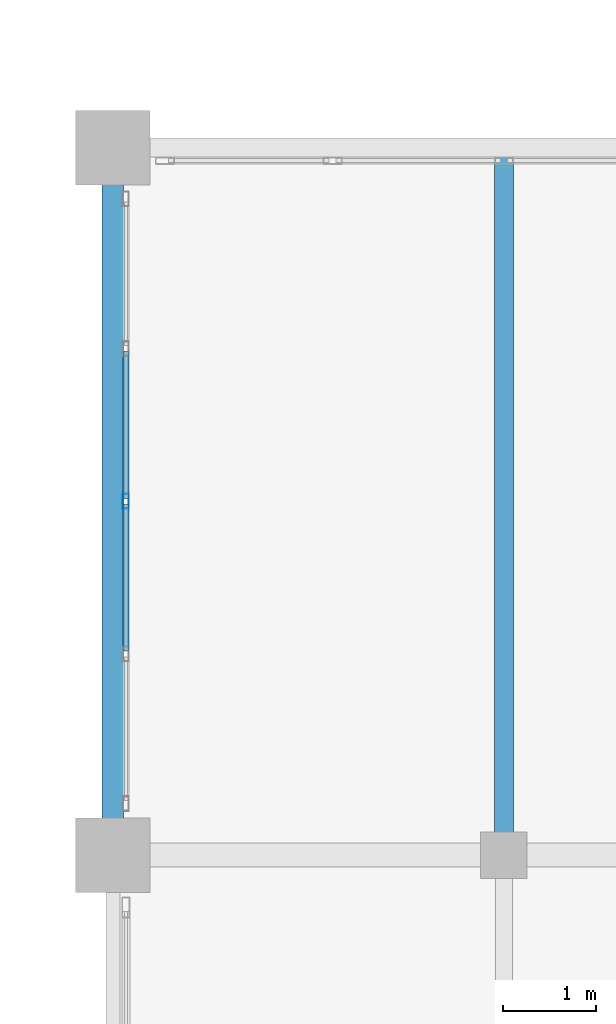
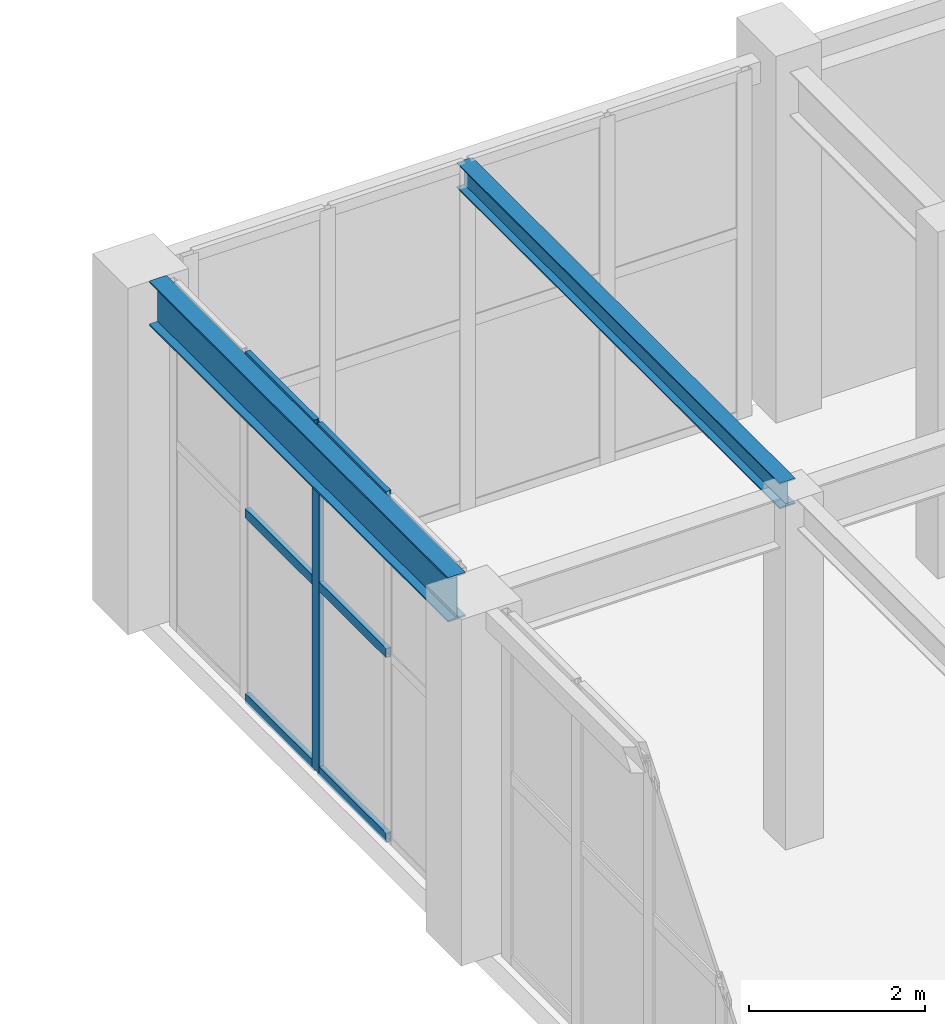
# One storey, part 59 of 128: 7 members, 2 beams, 1 element without a shape of its own.
"""IFC4 building model written with IfcOpenShell, lengths in metres."""

from ifc_helpers import new_model, si_unit, direction, frame, origin, origin_2d, place, context, subcontext, project, spatial, hollow_rectangle, i_section, extrude, material, layer, layer_set, material_profile, profile_set, type_object, element, aggregate, save


model = new_model("IFC4")

# Units and contexts
model_context = context("Model", 3, precision=1e-05, world=origin(), true_north=direction((0.0, 1.0)))
body_context = subcontext(model_context, "Body", "Model", "MODEL_VIEW")
ifc_project = project(units=[si_unit("LENGTHUNIT", "METRE"), si_unit("AREAUNIT", "SQUARE_METRE"), si_unit("VOLUMEUNIT", "CUBIC_METRE"), si_unit("PLANEANGLEUNIT", "RADIAN"), si_unit("MASSUNIT", "GRAM", prefix="KILO")], contexts=[model_context])

# Site, building, storey
site_placement = place(None, origin())
site = spatial("IfcSite", under=ifc_project, at=site_placement, CompositionType="ELEMENT")
building_placement = place(site_placement, origin())
building = spatial("IfcBuilding", under=site, at=building_placement, Name="Xicomal Pleat Aquarium", CompositionType="ELEMENT")
storey_placement = place(building_placement, frame((0.0, 0.0, 5.39990234375)))
storey = spatial("IfcBuildingStorey", under=building, at=storey_placement, Name="L02", CompositionType="ELEMENT", Elevation=5.39990234375)

# Beams
ifc_material_1 = material(Name="Structural steel A992 Gr 50", Category="steel")
ifc_material_profile_1 = material_profile(ifc_material_1, i_section(OverallWidth=0.205078125, OverallDepth=0.35400390625, WebThickness=0.009521484375, FlangeThickness=0.016845703125, at=origin_2d()), Name="IR 360x79")
ifc_profile_set_1 = profile_set([ifc_material_profile_1], Name="Structural steel A992 Gr 50")
beam_type_1 = type_object("IfcBeamType", Name="BM-STL-IR360", PredefinedType="JOIST", material=ifc_profile_set_1)
beam_1_placement = place(storey_placement, frame((48.0, 76.131103515625, 4.64306640625), z_axis=(0.0, 1.0, 0.0), x_axis=(-1.0, 0.0, 0.0)))
element("IfcBeam", 1, at=beam_1_placement, inside=storey, type_object=beam_type_1, Name="L02 framing beam FBJ-L02-06-L-1", PredefinedType="JOIST", context=body_context, shape_type="SweptSolid", body=[
    extrude(i_section(OverallWidth=0.205078125, OverallDepth=0.35400390625, WebThickness=0.009521484375, FlangeThickness=0.016845703125, at=origin_2d()), origin(), (0.0, 0.0, 1.0), 7.365966796875),
])
ifc_material_2 = material(Name="Structural steel A992 Gr 50", Category="steel")
ifc_material_profile_2 = material_profile(ifc_material_2, i_section(OverallWidth=0.22998046875, OverallDepth=0.616943359375, WebThickness=0.01318359375, FlangeThickness=0.022216796875, at=origin_2d()), Name="IR 610x140")
ifc_profile_set_2 = profile_set([ifc_material_profile_2], Name="Structural steel A992 Gr 50")
beam_type_2 = type_object("IfcBeamType", Name="BM-STL-IR610", PredefinedType="BEAM", material=ifc_profile_set_2)
beam_2_placement = place(storey_placement, frame((43.800048828125, 76.39501953125, 4.51171875), z_axis=(0.0, 1.0, 0.0), x_axis=(-1.0, 0.0, 0.0)))
element("IfcBeam", 2, at=beam_2_placement, inside=storey, type_object=beam_type_2, Name="L02 framing beam FGY-L02-06-L-M", PredefinedType="BEAM", context=body_context, shape_type="SweptSolid", body=[
    extrude(i_section(OverallWidth=0.22998046875, OverallDepth=0.616943359375, WebThickness=0.01318359375, FlangeThickness=0.022216796875, at=origin_2d()), origin(), (0.0, 0.0, 1.0), 6.81005859375),
])

# Curtain wall, members
ifc_material_3 = material(Name="Bronze anodized aluminium 6063-T6", Category="aluminium")
ifc_layer = layer(ifc_material_3, 0.159912109375)
ifc_layer_set = layer_set([ifc_layer], Name="Bronze anodized aluminium 6063-T6")
curtain_wall_type = type_object("IfcCurtainWallType", Name="CW-SYS-02", PredefinedType="NOTDEFINED", material=ifc_layer_set)
curtain_wall_placement = place(storey_placement, origin())
curtain_wall = element("IfcCurtainWall", 3, at=curtain_wall_placement, inside=storey, type_object=curtain_wall_type, Name="L02 unitised curtain wall CW-L02-102", PredefinedType="NOTDEFINED")
ifc_material_4 = material(Name="Bronze anodized aluminium 6063-T6", Category="aluminium")
ifc_material_profile_3 = material_profile(ifc_material_4, hollow_rectangle(XDim=0.06494140625, YDim=0.159912109375, WallThickness=0.00390625, at=origin_2d()), Name="ALU MULL 65x160")
ifc_profile_set_3 = profile_set([ifc_material_profile_3], Name="Bronze anodized aluminium 6063-T6")
member_type_1 = type_object("IfcMemberType", Name="CWM-65x160", PredefinedType="MULLION", material=ifc_profile_set_3)
member_1_placement = place(storey_placement, frame((43.93994140625, 79.800048828125, 0.0), z_axis=(0.0, 0.0, 1.0), x_axis=(-1.0, 0.0, 0.0)))
member_1 = element("IfcMember", 4, at=member_1_placement, type_object=member_type_1, Name="CW-02 mullion 3", PredefinedType="MULLION", context=body_context, shape_type="SweptSolid", body=[
    extrude(hollow_rectangle(XDim=0.06494140625, YDim=0.159912109375, WallThickness=0.00390625, at=origin_2d()), origin(), (0.0, 0.0, 1.0), 4.820068359375),
])
ifc_material_5 = material(Name="Bronze anodized aluminium 6063-T6", Category="aluminium")
ifc_material_profile_4 = material_profile(ifc_material_5, hollow_rectangle(XDim=0.06494140625, YDim=0.1298828125, WallThickness=0.00390625, at=origin_2d()), Name="ALU TRAN 65x130")
ifc_profile_set_4 = profile_set([ifc_material_profile_4], Name="Bronze anodized aluminium 6063-T6")
member_type_2 = type_object("IfcMemberType", Name="CWT-65x130", PredefinedType="USERDEFINED", material=ifc_profile_set_4)
member_2_placement = place(storey_placement, frame((43.93994140625, 78.1923828125, 0.03271484375), z_axis=(0.0, 1.0, 0.0), x_axis=(-1.0, 0.0, 0.0)))
member_2 = element("IfcMember", 5, at=member_2_placement, type_object=member_type_2, Name="CW-02 transom 2.1", ObjectType="TRANSOM", PredefinedType="USERDEFINED", context=body_context, shape_type="SweptSolid", body=[
    extrude(hollow_rectangle(XDim=0.06494140625, YDim=0.1298828125, WallThickness=0.00390625, at=origin_2d()), origin(), (0.0, 0.0, 1.0), 1.5751953125),
])
member_3_placement = place(storey_placement, frame((43.93994140625, 78.1923828125, 2.60302734375), z_axis=(0.0, 1.0, 0.0), x_axis=(-1.0, 0.0, 0.0)))
member_3 = element("IfcMember", 6, at=member_3_placement, type_object=member_type_2, Name="CW-02 transom 2.2", ObjectType="TRANSOM", PredefinedType="USERDEFINED", context=body_context, shape_type="SweptSolid", body=[
    extrude(hollow_rectangle(XDim=0.06494140625, YDim=0.1298828125, WallThickness=0.00390625, at=origin_2d()), origin(), (0.0, 0.0, 1.0), 1.5751953125),
])
member_4_placement = place(storey_placement, frame((43.93994140625, 78.1923828125, 4.78759765625), z_axis=(0.0, 1.0, 0.0), x_axis=(-1.0, 0.0, 0.0)))
member_4 = element("IfcMember", 7, at=member_4_placement, type_object=member_type_2, Name="CW-02 transom 2.3", ObjectType="TRANSOM", PredefinedType="USERDEFINED", context=body_context, shape_type="SweptSolid", body=[
    extrude(hollow_rectangle(XDim=0.06494140625, YDim=0.1298828125, WallThickness=0.00390625, at=origin_2d()), origin(), (0.0, 0.0, 1.0), 1.5751953125),
])
member_5_placement = place(storey_placement, frame((43.93994140625, 79.83251953125, 0.03271484375), z_axis=(0.0, 1.0, 0.0), x_axis=(-1.0, 0.0, 0.0)))
member_5 = element("IfcMember", 8, at=member_5_placement, type_object=member_type_2, Name="CW-02 transom 3.1", ObjectType="TRANSOM", PredefinedType="USERDEFINED", context=body_context, shape_type="SweptSolid", body=[
    extrude(hollow_rectangle(XDim=0.06494140625, YDim=0.1298828125, WallThickness=0.00390625, at=origin_2d()), origin(), (0.0, 0.0, 1.0), 1.574951171875),
])
member_6_placement = place(storey_placement, frame((43.93994140625, 79.83251953125, 2.60302734375), z_axis=(0.0, 1.0, 0.0), x_axis=(-1.0, 0.0, 0.0)))
member_6 = element("IfcMember", 9, at=member_6_placement, type_object=member_type_2, Name="CW-02 transom 3.2", ObjectType="TRANSOM", PredefinedType="USERDEFINED", context=body_context, shape_type="SweptSolid", body=[
    extrude(hollow_rectangle(XDim=0.06494140625, YDim=0.1298828125, WallThickness=0.00390625, at=origin_2d()), origin(), (0.0, 0.0, 1.0), 1.574951171875),
])
member_7_placement = place(storey_placement, frame((43.93994140625, 79.83251953125, 4.78759765625), z_axis=(0.0, 1.0, 0.0), x_axis=(-1.0, 0.0, 0.0)))
member_7 = element("IfcMember", 10, at=member_7_placement, type_object=member_type_2, Name="CW-02 transom 3.3", ObjectType="TRANSOM", PredefinedType="USERDEFINED", context=body_context, shape_type="SweptSolid", body=[
    extrude(hollow_rectangle(XDim=0.06494140625, YDim=0.1298828125, WallThickness=0.00390625, at=origin_2d()), origin(), (0.0, 0.0, 1.0), 1.574951171875),
])
aggregate(curtain_wall, [member_1, member_2, member_3, member_4, member_5, member_6, member_7])

save(model, "model.ifc")
